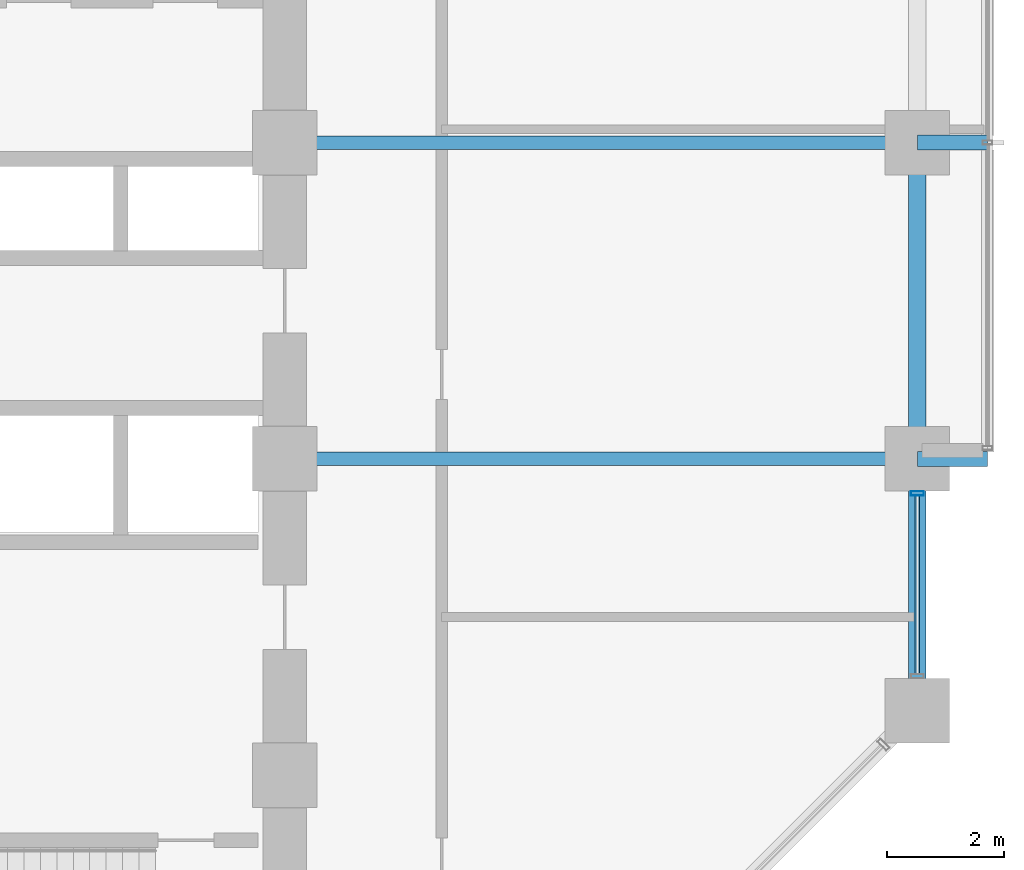
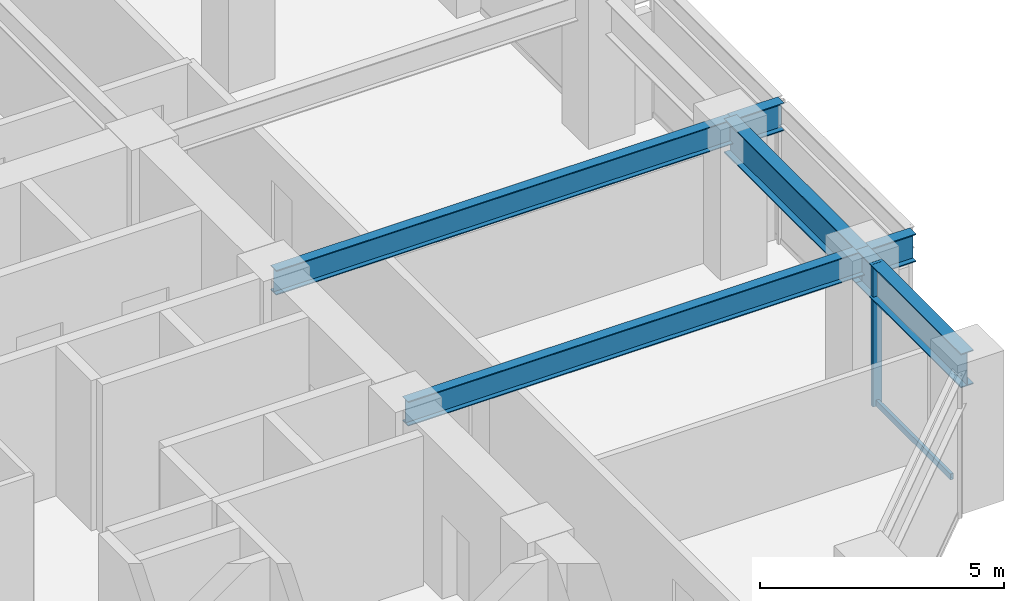
# One storey, part 9 of 26: 6 beams, 2 members, 1 element without a shape of its own.
"""IFC4 building model written with IfcOpenShell, lengths in metres."""

from ifc_helpers import new_model, si_unit, direction, frame, origin, origin_2d, place, context, subcontext, project, spatial, hollow_rectangle, i_section, extrude, material, layer, layer_set, material_profile, profile_set, type_object, element, aggregate, save


model = new_model("IFC4")

# Units and contexts
model_context = context("Model", 3, precision=1e-05, world=origin(), true_north=direction((0.0, 1.0)))
body_context = subcontext(model_context, "Body", "Model", "MODEL_VIEW")
ifc_project = project(units=[si_unit("LENGTHUNIT", "METRE"), si_unit("AREAUNIT", "SQUARE_METRE"), si_unit("VOLUMEUNIT", "CUBIC_METRE"), si_unit("PLANEANGLEUNIT", "RADIAN"), si_unit("MASSUNIT", "GRAM", prefix="KILO")], contexts=[model_context])

# Site, building, storey
site_placement = place(None, origin())
site = spatial("IfcSite", under=ifc_project, at=site_placement, CompositionType="ELEMENT")
building_placement = place(site_placement, origin())
building = spatial("IfcBuilding", under=site, at=building_placement, Name="Surkhivell Harbour Commons", CompositionType="ELEMENT")
storey_placement = place(building_placement, frame((0.0, 0.0, 102.0)))
storey = spatial("IfcBuildingStorey", under=building, at=storey_placement, Name="L26", CompositionType="ELEMENT", Elevation=102.0)

# Beams
ifc_material_1 = material(Name="Steel S460", Category="steel")
ifc_material_profile_1 = material_profile(ifc_material_1, i_section(OverallWidth=0.256103515625, OverallDepth=0.693115234375, WebThickness=0.014404296875, FlangeThickness=0.023681640625, at=origin_2d()), Name="UB686x254x170")
ifc_profile_set_1 = profile_set([ifc_material_profile_1], Name="Steel S460")
beam_type_1 = type_object("IfcBeamType", Name="BM-CNT-686", PredefinedType="BEAM", material=ifc_profile_set_1)
for number, where, z_axis, x_axis, name in (
    (1, (21.60009765625, 0.0, 3.223388671875), (1.0, 0.0, 0.0), (0.0, 1.0, 0.0), "L26 Box Cantilever Outrigger (21.6,0.0)"),
    (2, (21.60009765625, 5.39990234375, 3.223388671875), (1.0, 0.0, 0.0), (0.0, 1.0, 0.0), "L26 Box Cantilever Outrigger (21.6,5.4)"),
):
    element("IfcBeam", number, at=place(storey_placement, frame(where, z_axis=z_axis, x_axis=x_axis)), inside=storey, type_object=beam_type_1, Name=name, PredefinedType="BEAM", context=body_context, shape_type="SweptSolid", body=[
        extrude(i_section(OverallWidth=0.256103515625, OverallDepth=0.693115234375, WebThickness=0.014404296875, FlangeThickness=0.023681640625, at=origin_2d()), origin(), (0.0, 0.0, 1.0), 1.199951171875),
    ])
ifc_material_2 = material(Name="Steel S355", Category="steel")
ifc_material_profile_2 = material_profile(ifc_material_2, i_section(OverallWidth=0.22998046875, OverallDepth=0.616943359375, WebThickness=0.01318359375, FlangeThickness=0.022216796875, at=origin_2d()), Name="UB610x229x140")
ifc_profile_set_2 = profile_set([ifc_material_profile_2], Name="Steel S355")
beam_type_2 = type_object("IfcBeamType", Name="BM-GRD-610B", PredefinedType="BEAM", material=ifc_profile_set_2)
for number, where, z_axis, x_axis, name in (
    (3, (10.800048828125, 0.0, 3.261474609375), (1.0, 0.0, 0.0), (0.0, 1.0, 0.0), "L26 Floor Girder (10.8,0.0)"),
    (4, (10.800048828125, 5.39990234375, 3.261474609375), (1.0, 0.0, 0.0), (0.0, 1.0, 0.0), "L26 Floor Girder (10.8,5.4)"),
):
    element("IfcBeam", number, at=place(storey_placement, frame(where, z_axis=z_axis, x_axis=x_axis)), inside=storey, type_object=beam_type_2, Name=name, PredefinedType="BEAM", context=body_context, shape_type="SweptSolid", body=[
        extrude(i_section(OverallWidth=0.22998046875, OverallDepth=0.616943359375, WebThickness=0.01318359375, FlangeThickness=0.022216796875, at=origin_2d()), origin(), (0.0, 0.0, 1.0), 10.800048828125),
    ])
ifc_material_profile_3 = material_profile(ifc_material_1, i_section(OverallWidth=0.2939453125, OverallDepth=0.85107421875, WebThickness=0.01611328125, FlangeThickness=0.02685546875, at=origin_2d()), Name="UB838x292x226")
ifc_profile_set_3 = profile_set([ifc_material_profile_3], Name="Steel S460")
beam_type_3 = type_object("IfcBeamType", Name="BM-SPN-838", PredefinedType="SPANDREL", material=ifc_profile_set_3)
beam_1_placement = place(storey_placement, frame((21.60009765625, -4.300048828125, 3.14453125), z_axis=(0.0, 1.0, 0.0), x_axis=(-1.0, 0.0, 0.0)))
element("IfcBeam", 5, at=beam_1_placement, inside=storey, type_object=beam_type_3, Name="L26 Tube Spandrel (21.6,-4.3)", PredefinedType="SPANDREL", context=body_context, shape_type="SweptSolid", body=[
    extrude(i_section(OverallWidth=0.2939453125, OverallDepth=0.85107421875, WebThickness=0.01611328125, FlangeThickness=0.02685546875, at=origin_2d()), origin(), (0.0, 0.0, 1.0), 4.300048828125),
])
beam_2_placement = place(storey_placement, frame((21.60009765625, 0.0, 3.14453125), z_axis=(0.0, 1.0, 0.0), x_axis=(-1.0, 0.0, 0.0)))
element("IfcBeam", 6, at=beam_2_placement, inside=storey, type_object=beam_type_3, Name="L26 Tube Spandrel (21.6,0.0)", PredefinedType="SPANDREL", context=body_context, shape_type="SweptSolid", body=[
    extrude(i_section(OverallWidth=0.2939453125, OverallDepth=0.85107421875, WebThickness=0.01611328125, FlangeThickness=0.02685546875, at=origin_2d()), origin(), (0.0, 0.0, 1.0), 5.39990234375),
])

# Curtain wall, members
ifc_material_3 = material(Name="Anodised pale-metal aluminium and insulated glazing", Category="aluminium")
ifc_layer = layer(ifc_material_3, 0.205078125)
ifc_layer_set = layer_set([ifc_layer], Name="Anodised pale-metal aluminium and insulated glazing")
curtain_wall_type = type_object("IfcCurtainWallType", Name="CW-SYS-Z2", PredefinedType="NOTDEFINED", material=ifc_layer_set)
curtain_wall_placement = place(storey_placement, origin())
curtain_wall = element("IfcCurtainWall", 7, at=curtain_wall_placement, inside=storey, type_object=curtain_wall_type, Name="L26 Curtain Wall CW-L26-E02R1", PredefinedType="NOTDEFINED")
ifc_material_4 = material(Name="Anodised pale-metal aluminium alloy 6063-T6", Category="aluminium")
ifc_material_profile_4 = material_profile(ifc_material_4, hollow_rectangle(XDim=0.074951171875, YDim=0.219970703125, WallThickness=0.00390625, at=origin_2d()), Name="ALU-MULL-75x220")
ifc_profile_set_4 = profile_set([ifc_material_profile_4], Name="Anodised pale-metal aluminium alloy 6063-T6")
member_type_1 = type_object("IfcMemberType", Name="CWM-220", PredefinedType="MULLION", material=ifc_profile_set_4)
member_1_placement = place(storey_placement, frame((21.60009765625, -0.589599609375, 0.0), z_axis=(0.0, 0.0, 1.0), x_axis=(0.0, 1.0, 0.0)))
member_1 = element("IfcMember", 8, at=member_1_placement, type_object=member_type_1, Name="CW-Z2 mullion 2", PredefinedType="MULLION", context=body_context, shape_type="SweptSolid", body=[
    extrude(hollow_rectangle(XDim=0.074951171875, YDim=0.219970703125, WallThickness=0.00390625, at=origin_2d()), origin(), (0.0, 0.0, 1.0), 3.570068359375),
])
ifc_material_profile_5 = material_profile(ifc_material_4, hollow_rectangle(XDim=0.074951171875, YDim=0.14990234375, WallThickness=0.00341796875, at=origin_2d()), Name="ALU-TRAN-75x150")
ifc_profile_set_5 = profile_set([ifc_material_profile_5], Name="Anodised pale-metal aluminium alloy 6063-T6")
member_type_2 = type_object("IfcMemberType", Name="CWT-150", PredefinedType="USERDEFINED", material=ifc_profile_set_5)
member_2_placement = place(storey_placement, frame((21.60009765625, -3.673095703125, 0.074951171875), z_axis=(0.0, 1.0, 0.0), x_axis=(-1.0, 0.0, 0.0)))
member_2 = element("IfcMember", 9, at=member_2_placement, type_object=member_type_2, Name="CW-Z2 transom 1.1", ObjectType="TRANSOM", PredefinedType="USERDEFINED", context=body_context, shape_type="SweptSolid", body=[
    extrude(hollow_rectangle(XDim=0.074951171875, YDim=0.14990234375, WallThickness=0.00341796875, at=origin_2d()), origin(), (0.0, 0.0, 1.0), 3.046142578125),
])
aggregate(curtain_wall, [member_1, member_2])

save(model, "model.ifc")
